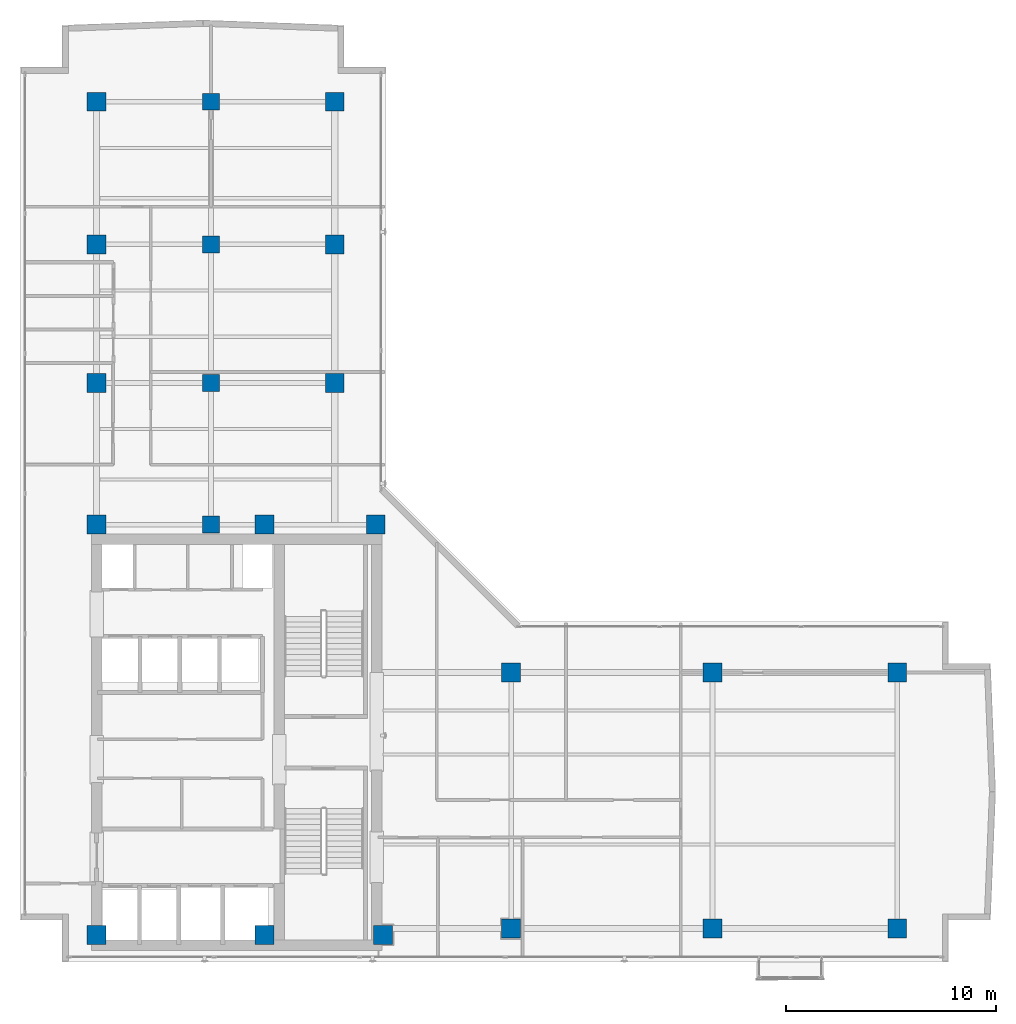
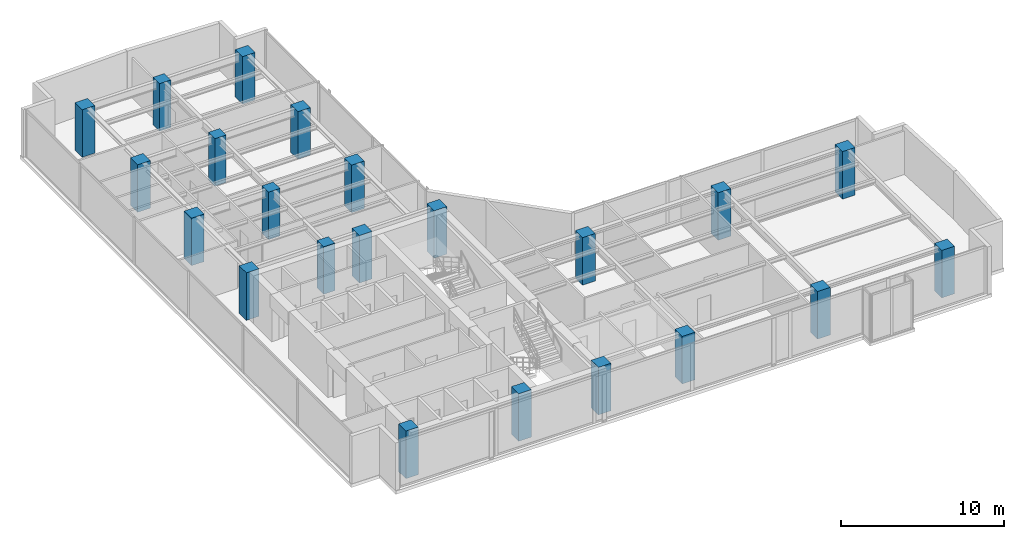
# One storey, part 1 of 23: 22 columns.
"""IFC4 building model written with IfcOpenShell, lengths in metres."""

from ifc_helpers import new_model, si_unit, direction, frame, origin, origin_2d, place, context, subcontext, project, spatial, rectangle, extrude, material, material_profile, profile_set, type_object, element, save


model = new_model("IFC4")

# Units and contexts
model_context = context("Model", 3, precision=1e-05, world=origin(), true_north=direction((0.0, 1.0)))
body_context = subcontext(model_context, "Body", "Model", "MODEL_VIEW")
ifc_project = project(units=[si_unit("LENGTHUNIT", "METRE"), si_unit("AREAUNIT", "SQUARE_METRE"), si_unit("VOLUMEUNIT", "CUBIC_METRE"), si_unit("PLANEANGLEUNIT", "RADIAN"), si_unit("MASSUNIT", "GRAM", prefix="KILO")], contexts=[model_context])

# Site, building, storey
site_placement = place(None, origin())
site = spatial("IfcSite", under=ifc_project, at=site_placement, CompositionType="ELEMENT")
building_placement = place(site_placement, origin())
building = spatial("IfcBuilding", under=site, at=building_placement, Name="Kolvaren Waterfront Exchange", CompositionType="ELEMENT")
storey_placement = place(building_placement, frame((0.0, 0.0, 319.800048828125)))
storey = spatial("IfcBuildingStorey", under=building, at=storey_placement, Name="L82", CompositionType="ELEMENT", Elevation=319.800048828125)

# Columns
ifc_material = material(Name="Concrete C50/60", Category="concrete")
ifc_material_profile_1 = material_profile(ifc_material, rectangle(XDim=0.800048828125, YDim=0.800048828125, at=origin_2d()), Name="RC-COL-800x800")
ifc_profile_set_1 = profile_set([ifc_material_profile_1], Name="Concrete C50/60")
column_type_1 = type_object("IfcColumnType", Name="STR-COL-800-C50", PredefinedType="COLUMN", material=ifc_profile_set_1)
for number, where, z_axis, x_axis, name in (
    (1, (12.89990234375, 24.449951171875, 0.0), (0.0, 0.0, 1.0), (1.0, 0.0, 0.0), "L82 column TC01"),
    (2, (12.89990234375, 31.199951171875, 0.0), (0.0, 0.0, 1.0), (1.0, 0.0, 0.0), "L82 column TC02"),
    (3, (12.89990234375, 37.800048828125, 0.0), (0.0, 0.0, 1.0), (1.0, 0.0, 0.0), "L82 column TC03"),
    (4, (12.89990234375, 44.60009765625, 0.0), (0.0, 0.0, 1.0), (1.0, 0.0, 0.0), "L82 column TC04"),
):
    element("IfcColumn", number, at=place(storey_placement, frame(where, z_axis=z_axis, x_axis=x_axis)), inside=storey, type_object=column_type_1, Name=name, PredefinedType="COLUMN", context=body_context, shape_type="SweptSolid", body=[
        extrude(rectangle(XDim=0.800048828125, YDim=0.800048828125, at=origin_2d()), origin(), (0.0, 0.0, 1.0), 3.56005859375),
    ])
ifc_material_profile_2 = material_profile(ifc_material, rectangle(XDim=0.89990234375, YDim=0.89990234375, at=origin_2d()), Name="RC-COL-900x900")
ifc_profile_set_2 = profile_set([ifc_material_profile_2], Name="Concrete C50/60")
column_type_2 = type_object("IfcColumnType", Name="STR-COL-900-C50", PredefinedType="COLUMN", material=ifc_profile_set_2)
for number, where, z_axis, x_axis, name in (
    (5, (7.449951171875, 4.89990234375, 0.0), (0.0, 0.0, 1.0), (1.0, 0.0, 0.0), "L82 column MC01"),
    (6, (15.449951171875, 4.89990234375, 0.0), (0.0, 0.0, 1.0), (1.0, 0.0, 0.0), "L82 column MC02"),
    (7, (21.10009765625, 4.89990234375, 0.0), (0.0, 0.0, 1.0), (1.0, 0.0, 0.0), "L82 column MC03"),
    (8, (7.449951171875, 24.449951171875, 0.0), (0.0, 0.0, 1.0), (1.0, 0.0, 0.0), "L82 column MC04"),
    (9, (15.449951171875, 24.449951171875, 0.0), (0.0, 0.0, 1.0), (1.0, 0.0, 0.0), "L82 column MC05"),
    (10, (20.75, 24.449951171875, 0.0), (0.0, 0.0, 1.0), (1.0, 0.0, 0.0), "L82 column MC06"),
    (11, (7.449951171875, 31.199951171875, 0.0), (0.0, 0.0, 1.0), (1.0, 0.0, 0.0), "L82 column NC01"),
    (12, (7.449951171875, 37.800048828125, 0.0), (0.0, 0.0, 1.0), (1.0, 0.0, 0.0), "L82 column NC02"),
    (13, (7.449951171875, 44.60009765625, 0.0), (0.0, 0.0, 1.0), (1.0, 0.0, 0.0), "L82 column NC03"),
    (14, (18.800048828125, 31.199951171875, 0.0), (0.0, 0.0, 1.0), (1.0, 0.0, 0.0), "L82 column NC04"),
    (15, (18.800048828125, 37.800048828125, 0.0), (0.0, 0.0, 1.0), (1.0, 0.0, 0.0), "L82 column NC05"),
    (16, (18.800048828125, 44.60009765625, 0.0), (0.0, 0.0, 1.0), (1.0, 0.0, 0.0), "L82 column NC06"),
    (17, (27.199951171875, 5.199951171875, 0.0), (0.0, 0.0, 1.0), (1.0, 0.0, 0.0), "L82 column EC01"),
    (18, (36.800048828125, 5.199951171875, 0.0), (0.0, 0.0, 1.0), (1.0, 0.0, 0.0), "L82 column EC02"),
    (19, (45.60009765625, 5.199951171875, 0.0), (0.0, 0.0, 1.0), (1.0, 0.0, 0.0), "L82 column EC03"),
    (20, (27.199951171875, 17.39990234375, 0.0), (0.0, 0.0, 1.0), (1.0, 0.0, 0.0), "L82 column EC04"),
    (21, (36.800048828125, 17.39990234375, 0.0), (0.0, 0.0, 1.0), (1.0, 0.0, 0.0), "L82 column EC05"),
    (22, (45.60009765625, 17.39990234375, 0.0), (0.0, 0.0, 1.0), (1.0, 0.0, 0.0), "L82 column EC06"),
):
    element("IfcColumn", number, at=place(storey_placement, frame(where, z_axis=z_axis, x_axis=x_axis)), inside=storey, type_object=column_type_2, Name=name, PredefinedType="COLUMN", context=body_context, shape_type="SweptSolid", body=[
        extrude(rectangle(XDim=0.89990234375, YDim=0.89990234375, at=origin_2d()), origin(), (0.0, 0.0, 1.0), 3.56005859375),
    ])

save(model, "model.ifc")
